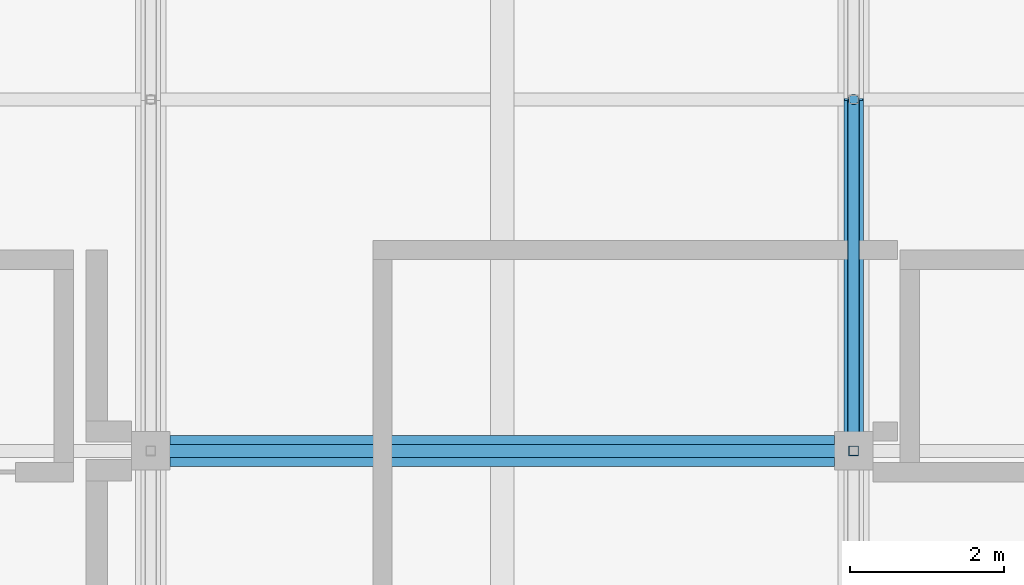
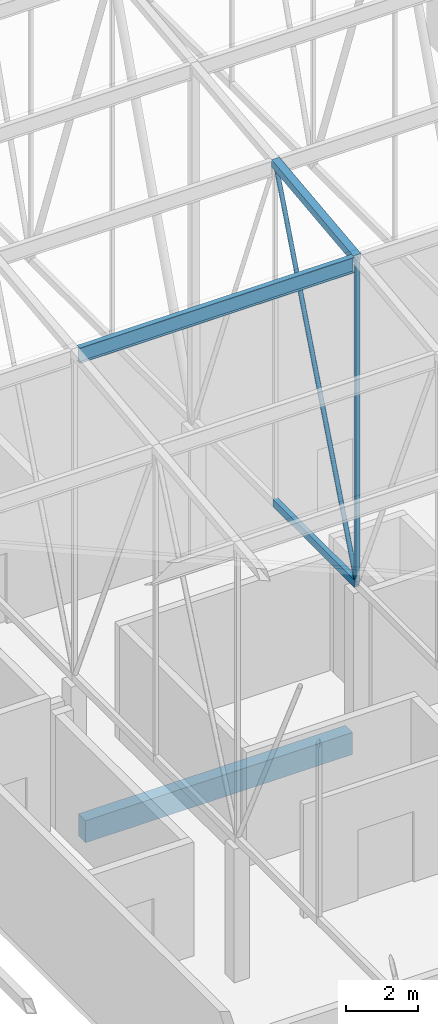
# One storey, part 151 of 500: 5 members, 1 beam.
"""IFC4 building model written with IfcOpenShell, lengths in metres."""

from ifc_helpers import new_model, si_unit, direction, frame, origin, origin_2d, place, context, subcontext, project, spatial, rectangle, hollow_rectangle, hollow_circle, i_section, extrude, material, material_profile, profile_set, type_object, element, save


model = new_model("IFC4")

# Units and contexts
model_context = context("Model", 3, precision=1e-05, world=origin(), true_north=direction((0.0, 1.0)))
body_context = subcontext(model_context, "Body", "Model", "MODEL_VIEW")
ifc_project = project(units=[si_unit("LENGTHUNIT", "METRE"), si_unit("AREAUNIT", "SQUARE_METRE"), si_unit("VOLUMEUNIT", "CUBIC_METRE"), si_unit("PLANEANGLEUNIT", "RADIAN"), si_unit("MASSUNIT", "GRAM", prefix="KILO")], contexts=[model_context])

# Site, building, storey
site_placement = place(None, origin())
site = spatial("IfcSite", under=ifc_project, at=site_placement, CompositionType="ELEMENT")
building_placement = place(site_placement, origin())
building = spatial("IfcBuilding", under=site, at=building_placement, Name="Shirokan Park Arena", CompositionType="ELEMENT")
storey_placement = place(building_placement, frame((0.0, 0.0, 29.1201171875)))
storey = spatial("IfcBuildingStorey", under=building, at=storey_placement, Name="L06", CompositionType="ELEMENT", Elevation=29.1201171875)

# Members
ifc_material_1 = material(Name="Steel ASTM A500 Grade C", Category="steel")
ifc_material_profile_1 = material_profile(ifc_material_1, hollow_rectangle(XDim=0.152099609375, YDim=0.25390625, WallThickness=0.009521484375, at=origin_2d()), Name="HSS254X152.4X9.5")
ifc_profile_set_1 = profile_set([ifc_material_profile_1], Name="Steel ASTM A500 Grade C")
member_type_1 = type_object("IfcMemberType", Name="Bottom chord HSS254X152.4X9.5", PredefinedType="CHORD", material=ifc_profile_set_1)
member_1_placement = place(storey_placement, frame((118.300048828125, 27.300048828125, 4.677001953125), z_axis=(0.0, 1.0, 0.0), x_axis=(-1.0, 0.0, 0.0)))
element("IfcMember", 1, at=member_1_placement, inside=storey, type_object=member_type_1, Name="Truss T14 bottom chord 9", PredefinedType="CHORD", context=body_context, shape_type="SweptSolid", body=[
    extrude(hollow_rectangle(XDim=0.152099609375, YDim=0.25390625, WallThickness=0.009521484375, at=origin_2d()), origin(), (0.0, 0.0, 1.0), 4.550048828125),
])
ifc_material_2 = material(Name="Steel ASTM A992", Category="steel")
ifc_material_profile_2 = material_profile(ifc_material_2, i_section(OverallWidth=0.166015625, OverallDepth=0.528076171875, WebThickness=0.009765625, FlangeThickness=0.013671875, at=origin_2d()), Name="W530X74")
ifc_profile_set_2 = profile_set([ifc_material_profile_2], Name="Steel ASTM A992")
member_type_2 = type_object("IfcMemberType", Name="Purlin W530X74", PredefinedType="PURLIN", material=ifc_profile_set_2)
member_2_placement = place(storey_placement, frame((109.326904296875, 27.300048828125, 15.60595703125), z_axis=(1.0, 0.0, 0.0), x_axis=(0.0, 1.0, 0.0)))
element("IfcMember", 2, at=member_2_placement, inside=storey, type_object=member_type_2, Name="Purlin 9 bay 13", PredefinedType="PURLIN", context=body_context, shape_type="SweptSolid", body=[
    extrude(i_section(OverallWidth=0.166015625, OverallDepth=0.528076171875, WebThickness=0.009765625, FlangeThickness=0.013671875, at=origin_2d()), origin(), (0.0, 0.0, 1.0), 8.84619140625),
])

# Beam
ifc_material_3 = material(Name="Concrete C35", Category="concrete")
ifc_material_profile_3 = material_profile(ifc_material_3, rectangle(XDim=0.39990234375, YDim=0.75, at=origin_2d()), Name="400x750")
ifc_profile_set_3 = profile_set([ifc_material_profile_3], Name="Concrete C35")
beam_type = type_object("IfcBeamType", Name="RC girder 400x750", PredefinedType="BEAM", material=ifc_profile_set_3)
beam_placement = place(storey_placement, frame((109.4501953125, 27.300048828125, -0.5751953125), z_axis=(1.0, 0.0, 0.0), x_axis=(0.0, 1.0, 0.0)))
element("IfcBeam", 3, at=beam_placement, inside=storey, type_object=beam_type, Name="Girder 13D-14D L06", PredefinedType="BEAM", context=body_context, shape_type="SweptSolid", body=[
    extrude(rectangle(XDim=0.39990234375, YDim=0.75, at=origin_2d()), origin(), (0.0, 0.0, 1.0), 8.599609375),
])

# Members
ifc_material_profile_4 = material_profile(ifc_material_1, hollow_rectangle(XDim=0.25390625, YDim=0.25390625, WallThickness=0.009521484375, at=origin_2d()), Name="HSS254X254X9.5")
ifc_profile_set_4 = profile_set([ifc_material_profile_4], Name="Steel ASTM A500 Grade C")
member_type_3 = type_object("IfcMemberType", Name="Top chord HSS254X254X9.5", PredefinedType="CHORD", material=ifc_profile_set_4)
member_3_placement = place(storey_placement, frame((118.300048828125, 27.300048828125, 15.742919921875), z_axis=(0.0, 0.993532328996, 0.113549598152), x_axis=(-1.0, 0.0, 0.0)))
element("IfcMember", 4, at=member_3_placement, inside=storey, type_object=member_type_3, Name="Truss T14 top chord 9", PredefinedType="CHORD", context=body_context, shape_type="SweptSolid", body=[
    extrude(hollow_rectangle(XDim=0.25390625, YDim=0.25390625, WallThickness=0.009521484375, at=origin_2d()), origin(), (0.0, 0.0, 1.0), 4.57958984375),
])
ifc_material_profile_5 = material_profile(ifc_material_1, hollow_circle(Radius=0.070556640625, WallThickness=0.006591796875, at=origin_2d()), Name="HSS141.3X6.6")
ifc_profile_set_5 = profile_set([ifc_material_profile_5], Name="Steel ASTM A500 Grade C")
member_type_4 = type_object("IfcMemberType", Name="Truss diagonal HSS141.3X6.6", PredefinedType="BRACE", material=ifc_profile_set_5)
member_4_placement = place(storey_placement, frame((118.300048828125, 27.300048828125, 4.677001953125), z_axis=(0.0, 0.365543139237, 0.930794399079), x_axis=(-1.0, 0.0, 0.0)))
element("IfcMember", 5, at=member_4_placement, inside=storey, type_object=member_type_4, Name="Truss T14 diagonal 9", PredefinedType="BRACE", context=body_context, shape_type="SweptSolid", body=[
    extrude(hollow_circle(Radius=0.070556640625, WallThickness=0.006591796875, at=origin_2d()), origin(), (0.0, 0.0, 1.0), 12.447265625),
])
ifc_material_profile_6 = material_profile(ifc_material_1, hollow_rectangle(XDim=0.126953125, YDim=0.126953125, WallThickness=0.008056640625, at=origin_2d()), Name="HSS127X127X7.9")
ifc_profile_set_6 = profile_set([ifc_material_profile_6], Name="Steel ASTM A500 Grade C")
member_type_5 = type_object("IfcMemberType", Name="Truss post HSS127X127X7.9", PredefinedType="POST", material=ifc_profile_set_6)
member_5_placement = place(storey_placement, frame((118.300048828125, 27.300048828125, 4.677001953125), z_axis=(0.0, 0.0, 1.0), x_axis=(1.0, 0.0, 0.0)))
element("IfcMember", 6, at=member_5_placement, inside=storey, type_object=member_type_5, Name="Truss T14 post 9", PredefinedType="POST", context=body_context, shape_type="SweptSolid", body=[
    extrude(hollow_rectangle(XDim=0.126953125, YDim=0.126953125, WallThickness=0.008056640625, at=origin_2d()), origin(), (0.0, 0.0, 1.0), 11.06591796875),
])

save(model, "model.ifc")
